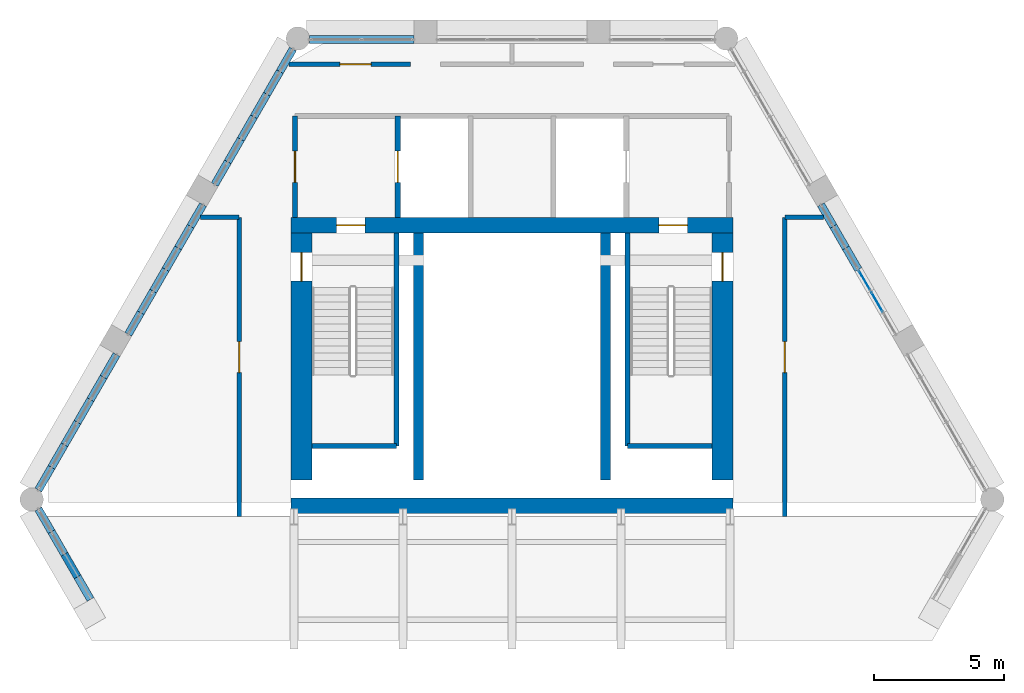
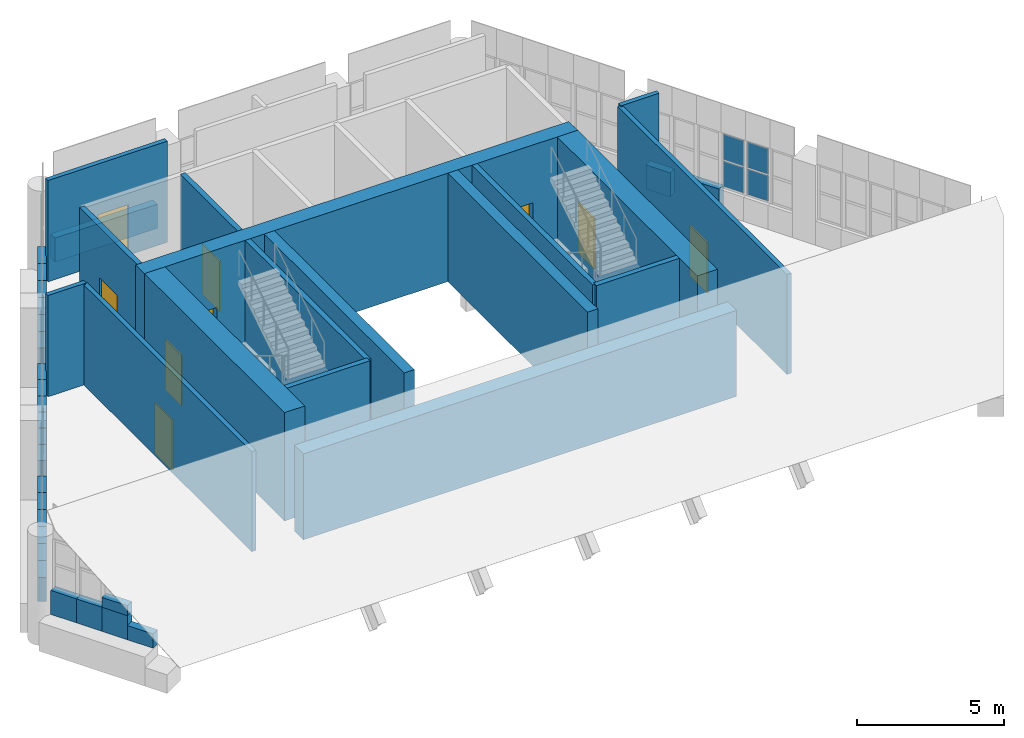
# One storey, part 15 of 20: 44 walls, 9 doors, 4 plates, 9 openings, 2 elements without a shape of their own.
"""IFC4 building model written with IfcOpenShell, lengths in metres."""

from ifc_helpers import new_model, si_unit, direction, frame, frame_2d, origin, origin_2d, place, context, subcontext, project, spatial, rectangle, extrude, material, layer, layer_set, type_object, element, fill, aggregate, save


model = new_model("IFC4")

# Units and contexts
model_context = context("Model", 3, precision=1e-05, world=origin(), true_north=direction((0.0, 1.0)))
body_context = subcontext(model_context, "Body", "Model", "MODEL_VIEW")
ifc_project = project(units=[si_unit("LENGTHUNIT", "METRE"), si_unit("AREAUNIT", "SQUARE_METRE"), si_unit("VOLUMEUNIT", "CUBIC_METRE"), si_unit("PLANEANGLEUNIT", "RADIAN"), si_unit("MASSUNIT", "GRAM", prefix="KILO")], contexts=[model_context])

# Site, building, storey
site_placement = place(None, origin())
site = spatial("IfcSite", under=ifc_project, at=site_placement, CompositionType="ELEMENT")
building_placement = place(site_placement, origin())
building = spatial("IfcBuilding", under=site, at=building_placement, Name="Ostrander Bayou Hotel Tower", CompositionType="ELEMENT")
storey_placement = place(building_placement, frame((0.0, 0.0, 284.0)))
storey = spatial("IfcBuildingStorey", under=building, at=storey_placement, Name="L70", CompositionType="ELEMENT", Elevation=284.0)

# Curtain wall, plates
ifc_material_1 = material(Name="Aluminium and clear glass", Category="aluminium")
curtain_wall_type = type_object("IfcCurtainWallType", Name="CW-CROWN glazed wall", PredefinedType="NOTDEFINED", material=ifc_material_1)
curtain_wall_1_placement = place(storey_placement, origin())
curtain_wall_1 = element("IfcCurtainWall", 1, at=curtain_wall_1_placement, inside=storey, type_object=curtain_wall_type, Name="CW-CROWN L70:NE-2-2", PredefinedType="NOTDEFINED")
ifc_material_2 = material(Name="Clear laminated glass", Category="glass")
ifc_layer_1 = layer(ifc_material_2, 0.028076171875)
ifc_layer_set_1 = layer_set([ifc_layer_1], Name="CW-CR glazing panel 28 mm")
plate_type = type_object("IfcPlateType", Name="CW-CR glazing panel 28 mm", PredefinedType="CURTAIN_PANEL", material=ifc_layer_set_1)
plate_1_placement = place(storey_placement, frame((14.051025390625, 6.449951171875, 1.06005859375), z_axis=(0.0, 0.0, 1.0), x_axis=(-0.500005045044, 0.866022491007, 0.0)))
plate_1 = element("IfcPlate", 2, at=plate_1_placement, type_object=plate_type, Name="CW-CROWN panel 1.1", PredefinedType="CURTAIN_PANEL", context=body_context, shape_type="SweptSolid", body=[
    extrude(rectangle(XDim=0.83984375, YDim=0.028076171875, at=origin_2d()), origin(), (0.0, 0.0, 1.0), 1.06005859375),
])
plate_2_placement = place(storey_placement, frame((14.051025390625, 6.449951171875, 2.179931640625), z_axis=(0.0, 0.0, 1.0), x_axis=(-0.500005045044, 0.866022491007, 0.0)))
plate_2 = element("IfcPlate", 3, at=plate_2_placement, type_object=plate_type, Name="CW-CROWN panel 1.2", PredefinedType="CURTAIN_PANEL", context=body_context, shape_type="SweptSolid", body=[
    extrude(rectangle(XDim=0.83984375, YDim=0.028076171875, at=origin_2d()), origin(), (0.0, 0.0, 1.0), 1.06005859375),
])
aggregate(curtain_wall_1, [plate_1, plate_2])

curtain_wall_2_placement = place(storey_placement, origin())
curtain_wall_2 = element("IfcCurtainWall", 4, at=curtain_wall_2_placement, inside=storey, type_object=curtain_wall_type, Name="CW-CROWN L70:NE-2-3", PredefinedType="NOTDEFINED")
plate_3_placement = place(storey_placement, frame((13.571044921875, 7.28125, 1.06005859375), z_axis=(0.0, 0.0, 1.0), x_axis=(-0.499959932788, 0.866048535364, 0.0)))
plate_3 = element("IfcPlate", 5, at=plate_3_placement, type_object=plate_type, Name="CW-CROWN panel 1.1", PredefinedType="CURTAIN_PANEL", context=body_context, shape_type="SweptSolid", body=[
    extrude(rectangle(XDim=0.83984375, YDim=0.028076171875, at=origin_2d()), origin(), (0.0, 0.0, 1.0), 1.06005859375),
])
plate_4_placement = place(storey_placement, frame((13.571044921875, 7.28125, 2.179931640625), z_axis=(0.0, 0.0, 1.0), x_axis=(-0.499959932788, 0.866048535364, 0.0)))
plate_4 = element("IfcPlate", 6, at=plate_4_placement, type_object=plate_type, Name="CW-CROWN panel 1.2", PredefinedType="CURTAIN_PANEL", context=body_context, shape_type="SweptSolid", body=[
    extrude(rectangle(XDim=0.83984375, YDim=0.028076171875, at=origin_2d()), origin(), (0.0, 0.0, 1.0), 1.06005859375),
])
aggregate(curtain_wall_2, [plate_3, plate_4])

# Wall
ifc_material_3 = material(Name="Concrete f'c 60 MPa", Category="concrete")
ifc_layer_2 = layer(ifc_material_3, 0.60009765625)
ifc_layer_set_2 = layer_set([ifc_layer_2], Name="CW10 core wall 600 mm f'c 60 MPa")
wall_type_1 = type_object("IfcWallType", Name="CW10 core wall 600 mm f'c 60 MPa", PredefinedType="SHEAR", material=ifc_layer_set_2)
wall_1_placement = place(storey_placement, frame((-8.5, -1.39990234375, -0.300048828125), z_axis=(0.0, 0.0, 1.0), x_axis=(1.0, 0.0, 0.0)))
element("IfcWall", 7, at=wall_1_placement, inside=storey, type_object=wall_type_1, Name="CW10 L70 S", PredefinedType="SHEAR", context=body_context, shape_type="SweptSolid", body=[
    extrude(rectangle(XDim=17.0, YDim=0.60009765625, at=frame_2d((8.5, 0.0))), origin(), (0.0, 0.0, 1.0), 3.570068359375),
])

# Wall, openings, doors
wall_2_placement = place(storey_placement, frame((-8.5, 9.39990234375, -0.300048828125), z_axis=(0.0, 0.0, 1.0), x_axis=(1.0, 0.0, 0.0)))
wall_2 = element("IfcWall", 8, at=wall_2_placement, inside=storey, type_object=wall_type_1, Name="CW10 L70 N", PredefinedType="SHEAR", context=body_context, shape_type="SweptSolid", body=[
    extrude(rectangle(XDim=17.0, YDim=0.60009765625, at=frame_2d((8.5, 0.0))), origin(), (0.0, 0.0, 1.0), 4.5),
])
opening_1_placement = place(wall_2_placement, frame((1.75, 0.0, 0.0)))
opening_1 = element("IfcOpeningElement", 9, at=opening_1_placement, cuts=wall_2, Name="Opening T70-001", PredefinedType="OPENING", context=body_context, shape_type="SweptSolid", body=[
    extrude(rectangle(XDim=1.10009765625, YDim=2.10009765625, at=frame_2d((0.550048828125, 1.050048828125))), frame((0.0, 0.300048828125, 0.0), z_axis=(0.0, -1.0, 0.0), x_axis=(1.0, 0.0, 0.0)), (0.0, 0.0, 1.0), 0.60009765625),
])
opening_2_placement = place(wall_2_placement, frame((14.14990234375, 0.0, 0.0)))
opening_2 = element("IfcOpeningElement", 10, at=opening_2_placement, cuts=wall_2, Name="Opening T70-003", PredefinedType="OPENING", context=body_context, shape_type="SweptSolid", body=[
    extrude(rectangle(XDim=1.10009765625, YDim=2.10009765625, at=frame_2d((0.550048828125, 1.050048828125))), frame((0.0, 0.300048828125, 0.0), z_axis=(0.0, -1.0, 0.0), x_axis=(1.0, 0.0, 0.0)), (0.0, 0.0, 1.0), 0.60009765625),
])
ifc_material_4 = material(Name="Timber door leaf", Category="wood")
door_type_1 = type_object("IfcDoorType", Name="D5 stair door 1100 x 2100 mm, 90 minute", OperationType="SINGLE_SWING_LEFT", PredefinedType="DOOR", material=ifc_material_4)
door_1_placement = place(opening_1_placement, origin())
door_1 = element("IfcDoor", 11, at=door_1_placement, inside=storey, type_object=door_type_1, Name="dr:L70:001", OperationType="SINGLE_SWING_LEFT", OverallHeight=2.10009765625, OverallWidth=1.10009765625, PredefinedType="DOOR", context=body_context, shape_type="SweptSolid", body=[
    extrude(rectangle(XDim=1.10009765625, YDim=2.10009765625, at=frame_2d((0.550048828125, 1.050048828125))), frame((0.0, 0.02490234375, 0.0), z_axis=(0.0, -1.0, 0.0), x_axis=(1.0, 0.0, 0.0)), (0.0, 0.0, 1.0), 0.050048828125),
])
fill(opening_1, door_1)
door_2_placement = place(opening_2_placement, origin())
door_2 = element("IfcDoor", 12, at=door_2_placement, inside=storey, type_object=door_type_1, Name="dr:L70:003", OperationType="SINGLE_SWING_RIGHT", OverallHeight=2.10009765625, OverallWidth=1.10009765625, PredefinedType="DOOR", context=body_context, shape_type="SweptSolid", body=[
    extrude(rectangle(XDim=1.10009765625, YDim=2.10009765625, at=frame_2d((0.550048828125, 1.050048828125))), frame((0.0, 0.02490234375, 0.0), z_axis=(0.0, -1.0, 0.0), x_axis=(1.0, 0.0, 0.0)), (0.0, 0.0, 1.0), 0.050048828125),
])
fill(opening_2, door_2)

# Wall, opening, door
ifc_material_5 = material(Name="Concrete f'c 60 MPa", Category="concrete")
ifc_layer_3 = layer(ifc_material_5, 0.800048828125)
ifc_layer_set_3 = layer_set([ifc_layer_3], Name="CW11 core spine wall 800 mm f'c 60 MPa")
wall_type_2 = type_object("IfcWallType", Name="CW11 core spine wall 800 mm f'c 60 MPa", PredefinedType="SHEAR", material=ifc_layer_set_3)
wall_3_placement = place(storey_placement, frame((-8.10009765625, -0.41259765625, -0.300048828125), z_axis=(0.0, 0.0, 1.0), x_axis=(0.0, 1.0, 0.0)))
wall_3 = element("IfcWall", 13, at=wall_3_placement, inside=storey, type_object=wall_type_2, Name="CW11 L70 W", PredefinedType="SHEAR", context=body_context, shape_type="SweptSolid", body=[
    extrude(rectangle(XDim=9.5126953125, YDim=0.800048828125, at=frame_2d((4.75634765625, 0.0))), origin(), (0.0, 0.0, 1.0), 4.5),
])
opening_3_placement = place(wall_3_placement, frame((7.66259765625, 0.0, 0.0)))
opening_3 = element("IfcOpeningElement", 14, at=opening_3_placement, cuts=wall_3, Name="Opening T70-002", PredefinedType="OPENING", context=body_context, shape_type="SweptSolid", body=[
    extrude(rectangle(XDim=1.10009765625, YDim=2.10009765625, at=frame_2d((0.550048828125, 1.050048828125))), frame((0.0, 0.39990234375, 0.0), z_axis=(0.0, -1.0, 0.0), x_axis=(1.0, 0.0, 0.0)), (0.0, 0.0, 1.0), 0.800048828125),
])
door_3_placement = place(opening_3_placement, origin())
door_3 = element("IfcDoor", 15, at=door_3_placement, inside=storey, type_object=door_type_1, Name="dr:L70:002", OperationType="SINGLE_SWING_RIGHT", OverallHeight=2.10009765625, OverallWidth=1.10009765625, PredefinedType="DOOR", context=body_context, shape_type="SweptSolid", body=[
    extrude(rectangle(XDim=1.10009765625, YDim=2.10009765625, at=frame_2d((0.550048828125, 1.050048828125))), frame((0.0, 0.02490234375, 0.0), z_axis=(0.0, -1.0, 0.0), x_axis=(1.0, 0.0, 0.0)), (0.0, 0.0, 1.0), 0.050048828125),
])
fill(opening_3, door_3)

wall_4_placement = place(storey_placement, frame((8.10009765625, -0.41259765625, -0.300048828125), z_axis=(0.0, 0.0, 1.0), x_axis=(0.0, 1.0, 0.0)))
wall_4 = element("IfcWall", 16, at=wall_4_placement, inside=storey, type_object=wall_type_2, Name="CW11 L70 E", PredefinedType="SHEAR", context=body_context, shape_type="SweptSolid", body=[
    extrude(rectangle(XDim=9.5126953125, YDim=0.800048828125, at=frame_2d((4.75634765625, 0.0))), origin(), (0.0, 0.0, 1.0), 4.5),
])
opening_4_placement = place(wall_4_placement, frame((7.66259765625, 0.0, 0.0)))
opening_4 = element("IfcOpeningElement", 17, at=opening_4_placement, cuts=wall_4, Name="Opening T70-004", PredefinedType="OPENING", context=body_context, shape_type="SweptSolid", body=[
    extrude(rectangle(XDim=1.10009765625, YDim=2.10009765625, at=frame_2d((0.550048828125, 1.050048828125))), frame((0.0, 0.39990234375, 0.0), z_axis=(0.0, -1.0, 0.0), x_axis=(1.0, 0.0, 0.0)), (0.0, 0.0, 1.0), 0.800048828125),
])
door_4_placement = place(opening_4_placement, origin())
door_4 = element("IfcDoor", 18, at=door_4_placement, inside=storey, type_object=door_type_1, Name="dr:L70:004", OperationType="SINGLE_SWING_LEFT", OverallHeight=2.10009765625, OverallWidth=1.10009765625, PredefinedType="DOOR", context=body_context, shape_type="SweptSolid", body=[
    extrude(rectangle(XDim=1.10009765625, YDim=2.10009765625, at=frame_2d((0.550048828125, 1.050048828125))), frame((0.0, 0.02490234375, 0.0), z_axis=(0.0, -1.0, 0.0), x_axis=(1.0, 0.0, 0.0)), (0.0, 0.0, 1.0), 0.050048828125),
])
fill(opening_4, door_4)

# Walls
ifc_material_6 = material(Name="Concrete f'c 60 MPa", Category="concrete")
ifc_layer_4 = layer(ifc_material_6, 0.39990234375)
ifc_layer_set_4 = layer_set([ifc_layer_4], Name="CW12 core bank wall 400 mm f'c 60 MPa")
wall_type_3 = type_object("IfcWallType", Name="CW12 core bank wall 400 mm f'c 60 MPa", PredefinedType="SHEAR", material=ifc_layer_set_4)
for number, where, z_axis, x_axis, name in (
    (19, (-3.60009765625, -0.41259765625, -0.300048828125), (0.0, 0.0, 1.0), (0.0, 1.0, 0.0), "CW12 L70 CW"),
    (20, (3.60009765625, -0.41259765625, -0.300048828125), (0.0, 0.0, 1.0), (0.0, 1.0, 0.0), "CW12 L70 CE"),
):
    element("IfcWall", number, at=place(storey_placement, frame(where, z_axis=z_axis, x_axis=x_axis)), inside=storey, type_object=wall_type_3, Name=name, PredefinedType="SHEAR", context=body_context, shape_type="SweptSolid", body=[
        extrude(rectangle(XDim=9.5126953125, YDim=0.39990234375, at=frame_2d((4.75634765625, 0.0))), origin(), (0.0, 0.0, 1.0), 4.5),
    ])
ifc_material_7 = material(Name="Reconstituted stone on masonry backing", Category="masonry")
ifc_layer_5 = layer(ifc_material_7, 0.300048828125)
ifc_layer_set_5 = layer_set([ifc_layer_5], Name="NW1 north stone wall 300 mm")
wall_type_4 = type_object("IfcWallType", Name="NW1 north stone wall 300 mm", PredefinedType="SOLIDWALL", material=ifc_layer_set_5)
wall_5_placement = place(storey_placement, frame((-3.779296875, 16.550048828125, 0.0), z_axis=(0.0, 0.0, 1.0), x_axis=(-1.0, 0.0, 0.0)))
element("IfcWall", 21, at=wall_5_placement, inside=storey, type_object=wall_type_4, Name="NW1 L70 N-3 sill", PredefinedType="SOLIDWALL", context=body_context, shape_type="SweptSolid", body=[
    extrude(rectangle(XDim=4.0166015625, YDim=0.300048828125, at=frame_2d((2.00830078125, 0.0))), origin(), (0.0, 0.0, 1.0), 1.0),
])
wall_6_placement = place(storey_placement, frame((-8.431884765625, 16.182373046875, 0.0), z_axis=(0.0, 0.0, 1.0), x_axis=(-0.500143783026, -0.865942374699, 0.0)))
element("IfcWall", 22, at=wall_6_placement, inside=storey, type_object=wall_type_4, Name="NW1 L70 NW-1-1 sill", PredefinedType="SOLIDWALL", context=body_context, shape_type="SweptSolid", body=[
    extrude(rectangle(XDim=1.003173828125, YDim=0.300048828125, at=frame_2d((0.50146484375, 0.0))), origin(), (0.0, 0.0, 1.0), 1.0),
])
wall_7_placement = place(storey_placement, frame((-8.93359375, 15.313720703125, 0.0), z_axis=(0.0, 0.0, 1.0), x_axis=(-0.500038395149, -0.8660032352, 0.0)))
element("IfcWall", 23, at=wall_7_placement, inside=storey, type_object=wall_type_4, Name="NW1 L70 NW-1-2 sill", PredefinedType="SOLIDWALL", context=body_context, shape_type="SweptSolid", body=[
    extrude(rectangle(XDim=1.00341796875, YDim=0.300048828125, at=frame_2d((0.501708984375, 0.0))), origin(), (0.0, 0.0, 1.0), 1.0),
])
wall_8_placement = place(storey_placement, frame((-9.435302734375, 14.44482421875, 0.0), z_axis=(0.0, 0.0, 1.0), x_axis=(-0.499961250474, -0.866047774678, 0.0)))
element("IfcWall", 24, at=wall_8_placement, inside=storey, type_object=wall_type_4, Name="NW1 L70 NW-1-3 sill", PredefinedType="SOLIDWALL", context=body_context, shape_type="SweptSolid", body=[
    extrude(rectangle(XDim=1.0029296875, YDim=0.300048828125, at=frame_2d((0.50146484375, 0.0))), origin(), (0.0, 0.0, 1.0), 1.0),
])
for number, where, z_axis, x_axis, name in (
    (25, (-9.936767578125, 13.576171875, 0.0), (0.0, 0.0, 1.0), (-0.499855875421, -0.866108598161, 0.0), "NW1 L70 NW-1-4 sill"),
    (26, (-10.438232421875, 12.707275390625, 0.0), (0.0, 0.0, 1.0), (-0.500143783026, -0.865942374699, 0.0), "NW1 L70 NW-1-5 sill"),
    (27, (-10.93994140625, 11.838623046875, 0.0), (0.0, 0.0, 1.0), (-0.499855875421, -0.866108598161, 0.0), "NW1 L70 NW-1-6 sill"),
):
    element("IfcWall", number, at=place(storey_placement, frame(where, z_axis=z_axis, x_axis=x_axis)), inside=storey, type_object=wall_type_4, Name=name, PredefinedType="SOLIDWALL", context=body_context, shape_type="SweptSolid", body=[
        extrude(rectangle(XDim=1.003173828125, YDim=0.300048828125, at=frame_2d((0.50146484375, 0.0))), origin(), (0.0, 0.0, 1.0), 1.0),
    ])
for number, where, z_axis, x_axis, name in (
    (28, (-11.8916015625, 10.1904296875, 0.0), (0.0, 0.0, 1.0), (-0.499832553123, -0.866122057702, 0.0), "NW1 L70 NW-2-1 sill"),
    (29, (-12.371337890625, 9.359130859375, 0.0), (0.0, 0.0, 1.0), (-0.500133489192, -0.865948320045, 0.0), "NW1 L70 NW-2-2 sill"),
):
    element("IfcWall", number, at=place(storey_placement, frame(where, z_axis=z_axis, x_axis=x_axis)), inside=storey, type_object=wall_type_4, Name=name, PredefinedType="SOLIDWALL", context=body_context, shape_type="SweptSolid", body=[
        extrude(rectangle(XDim=0.959716796875, YDim=0.300048828125, at=frame_2d((0.47998046875, 0.0))), origin(), (0.0, 0.0, 1.0), 1.0),
    ])
wall_9_placement = place(storey_placement, frame((-12.851318359375, 8.528076171875, 0.0), z_axis=(0.0, 0.0, 1.0), x_axis=(-0.500023335103, -0.866011930837, 0.0)))
element("IfcWall", 30, at=wall_9_placement, inside=storey, type_object=wall_type_4, Name="NW1 L70 NW-2-3 sill", PredefinedType="SOLIDWALL", context=body_context, shape_type="SweptSolid", body=[
    extrude(rectangle(XDim=0.9599609375, YDim=0.300048828125, at=frame_2d((0.47998046875, 0.0))), origin(), (0.0, 0.0, 1.0), 1.0),
])
wall_10_placement = place(storey_placement, frame((-13.331298828125, 7.69677734375, 0.0), z_axis=(0.0, 0.0, 1.0), x_axis=(-0.499832553123, -0.866122057702, 0.0)))
element("IfcWall", 31, at=wall_10_placement, inside=storey, type_object=wall_type_4, Name="NW1 L70 NW-2-4 sill", PredefinedType="SOLIDWALL", context=body_context, shape_type="SweptSolid", body=[
    extrude(rectangle(XDim=0.959716796875, YDim=0.300048828125, at=frame_2d((0.47998046875, 0.0))), origin(), (0.0, 0.0, 1.0), 1.0),
])
wall_11_placement = place(storey_placement, frame((-13.81103515625, 6.865478515625, 0.0), z_axis=(0.0, 0.0, 1.0), x_axis=(-0.500023335103, -0.866011930837, 0.0)))
element("IfcWall", 32, at=wall_11_placement, inside=storey, type_object=wall_type_4, Name="NW1 L70 NW-2-5 sill", PredefinedType="SOLIDWALL", context=body_context, shape_type="SweptSolid", body=[
    extrude(rectangle(XDim=0.9599609375, YDim=0.300048828125, at=frame_2d((0.47998046875, 0.0))), origin(), (0.0, 0.0, 1.0), 1.0),
])
wall_12_placement = place(storey_placement, frame((-14.291015625, 6.0341796875, 0.0), z_axis=(0.0, 0.0, 1.0), x_axis=(-0.500133489192, -0.865948320045, 0.0)))
element("IfcWall", 33, at=wall_12_placement, inside=storey, type_object=wall_type_4, Name="NW1 L70 NW-2-6 sill", PredefinedType="SOLIDWALL", context=body_context, shape_type="SweptSolid", body=[
    extrude(rectangle(XDim=0.959716796875, YDim=0.300048828125, at=frame_2d((0.47998046875, 0.0))), origin(), (0.0, 0.0, 1.0), 1.0),
])
wall_13_placement = place(storey_placement, frame((-15.220947265625, 4.423583984375, 0.0), z_axis=(0.0, 0.0, 1.0), x_axis=(-0.499961250474, -0.866047774678, 0.0)))
element("IfcWall", 34, at=wall_13_placement, inside=storey, type_object=wall_type_4, Name="NW1 L70 NW-3-1 sill", PredefinedType="SOLIDWALL", context=body_context, shape_type="SweptSolid", body=[
    extrude(rectangle(XDim=1.0029296875, YDim=0.300048828125, at=frame_2d((0.50146484375, 0.0))), origin(), (0.0, 0.0, 1.0), 1.0),
])
wall_14_placement = place(storey_placement, frame((-15.722412109375, 3.554931640625, 0.0), z_axis=(0.0, 0.0, 1.0), x_axis=(-0.500143783026, -0.865942374699, 0.0)))
element("IfcWall", 35, at=wall_14_placement, inside=storey, type_object=wall_type_4, Name="NW1 L70 NW-3-2 sill", PredefinedType="SOLIDWALL", context=body_context, shape_type="SweptSolid", body=[
    extrude(rectangle(XDim=1.003173828125, YDim=0.300048828125, at=frame_2d((0.50146484375, 0.0))), origin(), (0.0, 0.0, 1.0), 1.0),
])
for number, where, z_axis, x_axis, name in (
    (36, (-16.22412109375, 2.686279296875, 0.0), (0.0, 0.0, 1.0), (-0.499961250474, -0.866047774678, 0.0), "NW1 L70 NW-3-3 sill"),
    (37, (-16.7255859375, 1.817626953125, 0.0), (0.0, 0.0, 1.0), (-0.499961250474, -0.866047774678, 0.0), "NW1 L70 NW-3-4 sill"),
    (38, (-17.22705078125, 0.948974609375, 0.0), (0.0, 0.0, 1.0), (-0.499961250474, -0.866047774678, 0.0), "NW1 L70 NW-3-5 sill"),
    (39, (-17.728515625, 0.080322265625, 0.0), (0.0, 0.0, 1.0), (-0.499961250474, -0.866047774678, 0.0), "NW1 L70 NW-3-6 sill"),
):
    element("IfcWall", number, at=place(storey_placement, frame(where, z_axis=z_axis, x_axis=x_axis)), inside=storey, type_object=wall_type_4, Name=name, PredefinedType="SOLIDWALL", context=body_context, shape_type="SweptSolid", body=[
        extrude(rectangle(XDim=1.0029296875, YDim=0.300048828125, at=frame_2d((0.50146484375, 0.0))), origin(), (0.0, 0.0, 1.0), 1.0),
    ])
wall_15_placement = place(storey_placement, frame((-18.22998046875, -1.524658203125, 0.0), z_axis=(0.0, 0.0, 1.0), x_axis=(0.500010157896, -0.866019539041, 0.0)))
element("IfcWall", 40, at=wall_15_placement, inside=storey, type_object=wall_type_4, Name="NW1 L70 SW-1-1 sill", PredefinedType="SOLIDWALL", context=body_context, shape_type="SweptSolid", body=[
    extrude(rectangle(XDim=1.00390625, YDim=0.300048828125, at=frame_2d((0.501953125, 0.0))), origin(), (0.0, 0.0, 1.0), 1.0),
])
wall_16_placement = place(storey_placement, frame((-17.72802734375, -2.39404296875, 0.0), z_axis=(0.0, 0.0, 1.0), x_axis=(0.499933044277, -0.866064057238, 0.0)))
element("IfcWall", 41, at=wall_16_placement, inside=storey, type_object=wall_type_4, Name="NW1 L70 SW-1-2 sill", PredefinedType="SOLIDWALL", context=body_context, shape_type="SweptSolid", body=[
    extrude(rectangle(XDim=1.003662109375, YDim=0.300048828125, at=frame_2d((0.501953125, 0.0))), origin(), (0.0, 0.0, 1.0), 1.0),
])
wall_17_placement = place(storey_placement, frame((-17.226318359375, -3.26318359375, 0.0), z_axis=(0.0, 0.0, 1.0), x_axis=(0.499904868165, -0.866080321209, 0.0)))
element("IfcWall", 42, at=wall_17_placement, inside=storey, type_object=wall_type_4, Name="NW1 L70 SW-1-3 sill", PredefinedType="SOLIDWALL", context=body_context, shape_type="SweptSolid", body=[
    extrude(rectangle(XDim=1.004150390625, YDim=0.300048828125, at=frame_2d((0.501953125, 0.0))), origin(), (0.0, 0.0, 1.0), 1.0),
])
wall_18_placement = place(storey_placement, frame((-17.226318359375, -3.26318359375, 1.0), z_axis=(0.0, 0.0, 1.0), x_axis=(0.499904868165, -0.866080321209, 0.0)))
element("IfcWall", 43, at=wall_18_placement, inside=storey, type_object=wall_type_4, Name="NW1 L70 SW-1-3 infill", PredefinedType="SOLIDWALL", context=body_context, shape_type="SweptSolid", body=[
    extrude(rectangle(XDim=1.004150390625, YDim=0.300048828125, at=frame_2d((0.501953125, 0.0))), origin(), (0.0, 0.0, 1.0), 0.412841796875),
])
wall_19_placement = place(storey_placement, frame((-16.724365234375, -4.1328125, 0.0), z_axis=(0.0, 0.0, 1.0), x_axis=(0.500115484592, -0.865958718457, 0.0)))
element("IfcWall", 44, at=wall_19_placement, inside=storey, type_object=wall_type_4, Name="NW1 L70 SW-1-4 sill", PredefinedType="SOLIDWALL", context=body_context, shape_type="SweptSolid", body=[
    extrude(rectangle(XDim=1.003662109375, YDim=0.300048828125, at=frame_2d((0.501953125, 0.0))), origin(), (0.0, 0.0, 1.0), 0.593994140625),
])
wall_20_placement = place(storey_placement, frame((13.331298828125, 7.69677734375, 0.0), z_axis=(0.0, 0.0, 1.0), x_axis=(-0.500023335103, 0.866011930837, 0.0)))
element("IfcWall", 45, at=wall_20_placement, inside=storey, type_object=wall_type_4, Name="NW1 L70 NE-2-4 sill", PredefinedType="SOLIDWALL", context=body_context, shape_type="SweptSolid", body=[
    extrude(rectangle(XDim=0.9599609375, YDim=0.300048828125, at=frame_2d((0.47998046875, 0.0))), origin(), (0.0, 0.0, 1.0), 1.0),
])
for number, where, z_axis, x_axis, name in (
    (46, (12.851318359375, 8.528076171875, 0.0), (0.0, 0.0, 1.0), (-0.500133489192, 0.865948320045, 0.0), "NW1 L70 NE-2-5 sill"),
    (47, (12.371337890625, 9.359130859375, 0.0), (0.0, 0.0, 1.0), (-0.499832553123, 0.866122057702, 0.0), "NW1 L70 NE-2-6 sill"),
):
    element("IfcWall", number, at=place(storey_placement, frame(where, z_axis=z_axis, x_axis=x_axis)), inside=storey, type_object=wall_type_4, Name=name, PredefinedType="SOLIDWALL", context=body_context, shape_type="SweptSolid", body=[
        extrude(rectangle(XDim=0.959716796875, YDim=0.300048828125, at=frame_2d((0.47998046875, 0.0))), origin(), (0.0, 0.0, 1.0), 1.0),
    ])
ifc_material_8 = material(Name="Gypsum board partition", Category="finish")
ifc_layer_6 = layer(ifc_material_8, 0.175048828125)
ifc_layer_set_6 = layer_set([ifc_layer_6], Name="PT4 corridor wall 175 mm, 1 hour")
wall_type_5 = type_object("IfcWallType", Name="PT4 corridor wall 175 mm, 1 hour", PredefinedType="PARTITIONING", material=ifc_layer_set_6)
for number, where, z_axis, x_axis, name in (
    (48, (-11.996337890625, 9.699951171875, 0.0), (0.0, 0.0, 1.0), (1.0, 0.0, 0.0), "sw:L70:001"),
    (49, (10.5, 9.699951171875, 0.0), (0.0, 0.0, 1.0), (1.0, 0.0, 0.0), "sw:L70:002"),
):
    element("IfcWall", number, at=place(storey_placement, frame(where, z_axis=z_axis, x_axis=x_axis)), inside=storey, type_object=wall_type_5, Name=name, PredefinedType="PARTITIONING", context=body_context, shape_type="SweptSolid", body=[
        extrude(rectangle(XDim=1.496337890625, YDim=0.175048828125, at=frame_2d((0.748046875, 0.0))), origin(), (0.0, 0.0, 1.0), 4.199951171875),
    ])

# Wall, opening, door
wall_21_placement = place(storey_placement, frame((-8.590087890625, 15.60009765625, 0.0), z_axis=(0.0, 0.0, 1.0), x_axis=(1.0, 0.0, 0.0)))
wall_21 = element("IfcWall", 50, at=wall_21_placement, inside=storey, type_object=wall_type_5, Name="sw:L70:003", PredefinedType="PARTITIONING", context=body_context, shape_type="SweptSolid", body=[
    extrude(rectangle(XDim=4.68701171875, YDim=0.175048828125, at=frame_2d((2.343505859375, 0.0))), origin(), (0.0, 0.0, 1.0), 4.199951171875),
])
opening_5_placement = place(wall_21_placement, frame((1.9638671875, 0.0, 0.0)))
opening_5 = element("IfcOpeningElement", 51, at=opening_5_placement, cuts=wall_21, Name="Opening T70-202", PredefinedType="OPENING", context=body_context, shape_type="SweptSolid", body=[
    extrude(rectangle(XDim=1.199951171875, YDim=2.10009765625, at=frame_2d((0.60009765625, 1.050048828125))), frame((0.0, 0.08740234375, 0.0), z_axis=(0.0, -1.0, 0.0), x_axis=(1.0, 0.0, 0.0)), (0.0, 0.0, 1.0), 0.175048828125),
])
ifc_material_9 = material(Name="Timber door leaf", Category="wood")
door_type_2 = type_object("IfcDoorType", Name="D10 plant room door 1200 x 2100 mm, 1 hour", OperationType="SINGLE_SWING_LEFT", PredefinedType="DOOR", material=ifc_material_9)
door_5_placement = place(opening_5_placement, origin())
door_5 = element("IfcDoor", 52, at=door_5_placement, inside=storey, type_object=door_type_2, Name="dr:L70:202", OperationType="SINGLE_SWING_RIGHT", OverallHeight=2.10009765625, OverallWidth=1.199951171875, PredefinedType="DOOR", context=body_context, shape_type="SweptSolid", body=[
    extrude(rectangle(XDim=1.199951171875, YDim=2.10009765625, at=frame_2d((0.60009765625, 1.050048828125))), frame((0.0, 0.02490234375, 0.0), z_axis=(0.0, -1.0, 0.0), x_axis=(1.0, 0.0, 0.0)), (0.0, 0.0, 1.0), 0.050048828125),
])
fill(opening_5, door_5)

wall_22_placement = place(storey_placement, frame((-10.5, -1.8056640625, 0.0), z_axis=(0.0, 0.0, 1.0), x_axis=(0.0, 1.0, 0.0)))
wall_22 = element("IfcWall", 53, at=wall_22_placement, inside=storey, type_object=wall_type_5, Name="sw:L70:006", PredefinedType="PARTITIONING", context=body_context, shape_type="SweptSolid", body=[
    extrude(rectangle(XDim=11.505615234375, YDim=0.175048828125, at=frame_2d((5.7529296875, 0.0))), origin(), (0.0, 0.0, 1.0), 4.15478515625),
])
opening_6_placement = place(wall_22_placement, frame((5.53076171875, 0.0, 0.0)))
opening_6 = element("IfcOpeningElement", 54, at=opening_6_placement, cuts=wall_22, Name="Opening T70-200", PredefinedType="OPENING", context=body_context, shape_type="SweptSolid", body=[
    extrude(rectangle(XDim=1.199951171875, YDim=2.10009765625, at=frame_2d((0.60009765625, 1.050048828125))), frame((0.0, 0.08740234375, 0.0), z_axis=(0.0, -1.0, 0.0), x_axis=(1.0, 0.0, 0.0)), (0.0, 0.0, 1.0), 0.175048828125),
])
door_6_placement = place(opening_6_placement, origin())
door_6 = element("IfcDoor", 55, at=door_6_placement, inside=storey, type_object=door_type_2, Name="dr:L70:200", OperationType="SINGLE_SWING_RIGHT", OverallHeight=2.10009765625, OverallWidth=1.199951171875, PredefinedType="DOOR", context=body_context, shape_type="SweptSolid", body=[
    extrude(rectangle(XDim=1.199951171875, YDim=2.10009765625, at=frame_2d((0.60009765625, 1.050048828125))), frame((0.0, 0.02490234375, 0.0), z_axis=(0.0, -1.0, 0.0), x_axis=(1.0, 0.0, 0.0)), (0.0, 0.0, 1.0), 0.050048828125),
])
fill(opening_6, door_6)

wall_23_placement = place(storey_placement, frame((10.5, -1.8056640625, 0.0), z_axis=(0.0, 0.0, 1.0), x_axis=(0.0, 1.0, 0.0)))
wall_23 = element("IfcWall", 56, at=wall_23_placement, inside=storey, type_object=wall_type_5, Name="sw:L70:007", PredefinedType="PARTITIONING", context=body_context, shape_type="SweptSolid", body=[
    extrude(rectangle(XDim=11.505615234375, YDim=0.175048828125, at=frame_2d((5.7529296875, 0.0))), origin(), (0.0, 0.0, 1.0), 4.15478515625),
])
opening_7_placement = place(wall_23_placement, frame((5.53076171875, 0.0, 0.0)))
opening_7 = element("IfcOpeningElement", 57, at=opening_7_placement, cuts=wall_23, Name="Opening T70-201", PredefinedType="OPENING", context=body_context, shape_type="SweptSolid", body=[
    extrude(rectangle(XDim=1.199951171875, YDim=2.10009765625, at=frame_2d((0.60009765625, 1.050048828125))), frame((0.0, 0.08740234375, 0.0), z_axis=(0.0, -1.0, 0.0), x_axis=(1.0, 0.0, 0.0)), (0.0, 0.0, 1.0), 0.175048828125),
])
door_7_placement = place(opening_7_placement, origin())
door_7 = element("IfcDoor", 58, at=door_7_placement, inside=storey, type_object=door_type_2, Name="dr:L70:201", OperationType="SINGLE_SWING_LEFT", OverallHeight=2.10009765625, OverallWidth=1.199951171875, PredefinedType="DOOR", context=body_context, shape_type="SweptSolid", body=[
    extrude(rectangle(XDim=1.199951171875, YDim=2.10009765625, at=frame_2d((0.60009765625, 1.050048828125))), frame((0.0, 0.02490234375, 0.0), z_axis=(0.0, -1.0, 0.0), x_axis=(1.0, 0.0, 0.0)), (0.0, 0.0, 1.0), 0.050048828125),
])
fill(opening_7, door_7)

ifc_material_10 = material(Name="Masonry block", Category="masonry")
ifc_layer_7 = layer(ifc_material_10, 0.199951171875)
ifc_layer_set_7 = layer_set([ifc_layer_7], Name="PT5 stair enclosure wall 200 mm masonry, 2 hour")
wall_type_6 = type_object("IfcWallType", Name="PT5 stair enclosure wall 200 mm masonry, 2 hour", PredefinedType="PARTITIONING", material=ifc_layer_set_7)
wall_24_placement = place(storey_placement, frame((-8.35009765625, 9.699951171875, 0.0), z_axis=(0.0, 0.0, 1.0), x_axis=(0.0, 1.0, 0.0)))
wall_24 = element("IfcWall", 59, at=wall_24_placement, inside=storey, type_object=wall_type_6, Name="cs:L70:006", PredefinedType="PARTITIONING", context=body_context, shape_type="SweptSolid", body=[
    extrude(rectangle(XDim=3.900146484375, YDim=0.199951171875, at=frame_2d((1.9501953125, 0.0))), origin(), (0.0, 0.0, 1.0), 4.199951171875),
])
opening_8_placement = place(wall_24_placement, frame((1.35009765625, 0.0, 0.0)))
opening_8 = element("IfcOpeningElement", 60, at=opening_8_placement, cuts=wall_24, Name="Opening T70-006", PredefinedType="OPENING", context=body_context, shape_type="SweptSolid", body=[
    extrude(rectangle(XDim=1.199951171875, YDim=2.10009765625, at=frame_2d((0.60009765625, 1.050048828125))), frame((0.0, 0.10009765625, 0.0), z_axis=(0.0, -1.0, 0.0), x_axis=(1.0, 0.0, 0.0)), (0.0, 0.0, 1.0), 0.199951171875),
])
ifc_material_11 = material(Name="Timber door leaf", Category="wood")
door_type_3 = type_object("IfcDoorType", Name="D7 lobby door 1200 x 2100 mm, 1 hour", OperationType="SINGLE_SWING_LEFT", PredefinedType="DOOR", material=ifc_material_11)
door_8_placement = place(opening_8_placement, origin())
door_8 = element("IfcDoor", 61, at=door_8_placement, inside=storey, type_object=door_type_3, Name="dr:L70:006", OperationType="SINGLE_SWING_LEFT", OverallHeight=2.10009765625, OverallWidth=1.199951171875, PredefinedType="DOOR", context=body_context, shape_type="SweptSolid", body=[
    extrude(rectangle(XDim=1.199951171875, YDim=2.10009765625, at=frame_2d((0.60009765625, 1.050048828125))), frame((0.0, 0.02490234375, 0.0), z_axis=(0.0, -1.0, 0.0), x_axis=(1.0, 0.0, 0.0)), (0.0, 0.0, 1.0), 0.050048828125),
])
fill(opening_8, door_8)

wall_25_placement = place(storey_placement, frame((-4.39990234375, 9.699951171875, 0.0), z_axis=(0.0, 0.0, 1.0), x_axis=(0.0, 1.0, 0.0)))
wall_25 = element("IfcWall", 62, at=wall_25_placement, inside=storey, type_object=wall_type_6, Name="cs:L70:008", PredefinedType="PARTITIONING", context=body_context, shape_type="SweptSolid", body=[
    extrude(rectangle(XDim=3.900146484375, YDim=0.199951171875, at=frame_2d((1.9501953125, 0.0))), origin(), (0.0, 0.0, 1.0), 4.199951171875),
])
opening_9_placement = place(wall_25_placement, frame((1.35009765625, 0.0, 0.0)))
opening_9 = element("IfcOpeningElement", 63, at=opening_9_placement, cuts=wall_25, Name="Opening T70-005", PredefinedType="OPENING", context=body_context, shape_type="SweptSolid", body=[
    extrude(rectangle(XDim=1.199951171875, YDim=2.10009765625, at=frame_2d((0.60009765625, 1.050048828125))), frame((0.0, 0.10009765625, 0.0), z_axis=(0.0, -1.0, 0.0), x_axis=(1.0, 0.0, 0.0)), (0.0, 0.0, 1.0), 0.199951171875),
])
ifc_material_12 = material(Name="Stainless steel sliding door", Category="steel")
door_type_4 = type_object("IfcDoorType", Name="LD1 lift landing door 1200 x 2100 mm", OperationType="SINGLE_SWING_LEFT", PredefinedType="DOOR", material=ifc_material_12)
door_9_placement = place(opening_9_placement, origin())
door_9 = element("IfcDoor", 64, at=door_9_placement, inside=storey, type_object=door_type_4, Name="dr:L70:005", OperationType="SLIDING_TO_LEFT", OverallHeight=2.10009765625, OverallWidth=1.199951171875, PredefinedType="DOOR", context=body_context, shape_type="SweptSolid", body=[
    extrude(rectangle(XDim=1.199951171875, YDim=2.10009765625, at=frame_2d((0.60009765625, 1.050048828125))), frame((0.0, 0.02490234375, 0.0), z_axis=(0.0, -1.0, 0.0), x_axis=(1.0, 0.0, 0.0)), (0.0, 0.0, 1.0), 0.050048828125),
])
fill(opening_9, door_9)

# Walls
ifc_material_13 = material(Name="Concrete f'c 45 MPa", Category="concrete")
ifc_layer_8 = layer(ifc_material_13, 0.199951171875)
ifc_layer_set_8 = layer_set([ifc_layer_8], Name="SW5 stair enclosure wall 200 mm f'c 45 MPa")
wall_type_7 = type_object("IfcWallType", Name="SW5 stair enclosure wall 200 mm f'c 45 MPa", PredefinedType="SOLIDWALL", material=ifc_layer_set_8)
wall_26_placement = place(storey_placement, frame((-4.449951171875, 0.89990234375, -0.300048828125), z_axis=(0.0, 0.0, 1.0), x_axis=(0.0, 1.0, 0.0)))
element("IfcWall", 65, at=wall_26_placement, inside=storey, type_object=wall_type_7, Name="cs:L70:001", PredefinedType="SOLIDWALL", context=body_context, shape_type="SweptSolid", body=[
    extrude(rectangle(XDim=8.2001953125, YDim=0.199951171875, at=frame_2d((4.10009765625, 0.0))), origin(), (0.0, 0.0, 1.0), 4.5),
])
wall_27_placement = place(storey_placement, frame((-7.699951171875, 0.89990234375, -0.300048828125), z_axis=(0.0, 0.0, 1.0), x_axis=(1.0, 0.0, 0.0)))
element("IfcWall", 66, at=wall_27_placement, inside=storey, type_object=wall_type_7, Name="cs:L70:002", PredefinedType="SOLIDWALL", context=body_context, shape_type="SweptSolid", body=[
    extrude(rectangle(XDim=3.25, YDim=0.199951171875, at=frame_2d((1.625, 0.0))), origin(), (0.0, 0.0, 1.0), 4.5),
])
wall_28_placement = place(storey_placement, frame((4.449951171875, 0.89990234375, -0.300048828125), z_axis=(0.0, 0.0, 1.0), x_axis=(0.0, 1.0, 0.0)))
element("IfcWall", 67, at=wall_28_placement, inside=storey, type_object=wall_type_7, Name="cs:L70:003", PredefinedType="SOLIDWALL", context=body_context, shape_type="SweptSolid", body=[
    extrude(rectangle(XDim=8.2001953125, YDim=0.199951171875, at=frame_2d((4.10009765625, 0.0))), origin(), (0.0, 0.0, 1.0), 4.5),
])
wall_29_placement = place(storey_placement, frame((4.449951171875, 0.89990234375, -0.300048828125), z_axis=(0.0, 0.0, 1.0), x_axis=(1.0, 0.0, 0.0)))
element("IfcWall", 68, at=wall_29_placement, inside=storey, type_object=wall_type_7, Name="cs:L70:004", PredefinedType="SOLIDWALL", context=body_context, shape_type="SweptSolid", body=[
    extrude(rectangle(XDim=3.25, YDim=0.199951171875, at=frame_2d((1.625, 0.0))), origin(), (0.0, 0.0, 1.0), 4.5),
])

save(model, "model.ifc")
